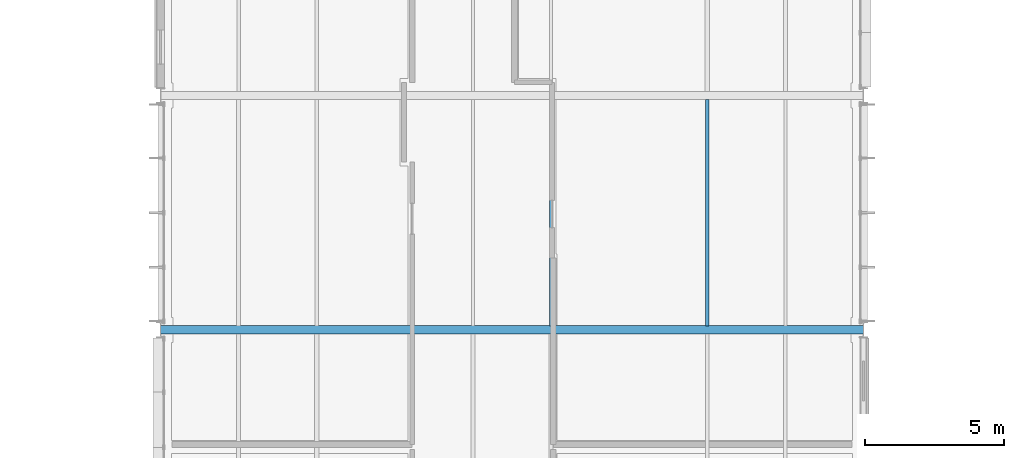
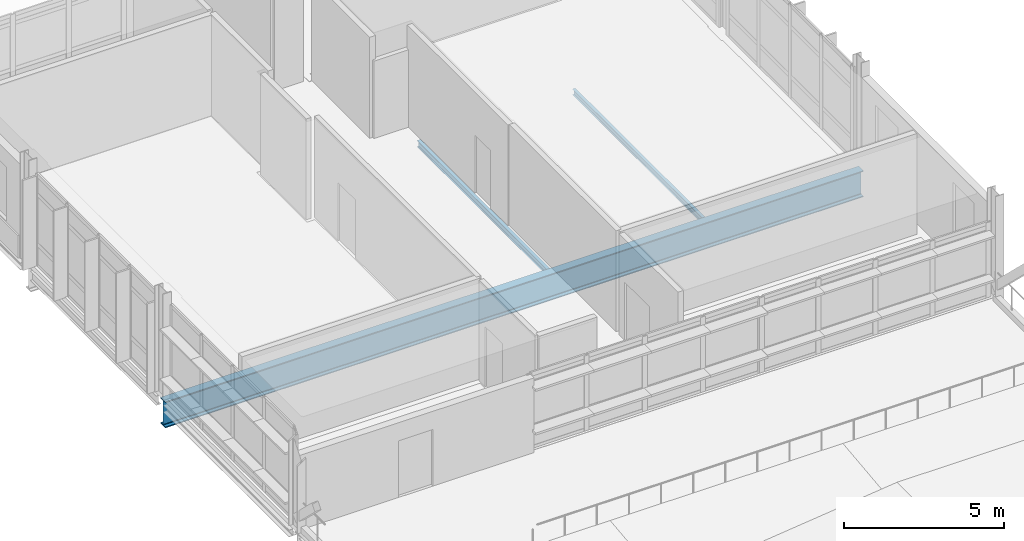
# One storey, part 35 of 103: 3 beams.
"""IFC4 building model written with IfcOpenShell, lengths in metres."""

from ifc_helpers import new_model, si_unit, direction, frame, origin, origin_2d, place, context, subcontext, project, spatial, i_section, extrude, material, material_profile, profile_set, type_object, element, save


model = new_model("IFC4")

# Units and contexts
model_context = context("Model", 3, precision=1e-05, world=origin(), true_north=direction((0.0, 1.0)))
body_context = subcontext(model_context, "Body", "Model", "MODEL_VIEW")
ifc_project = project(units=[si_unit("LENGTHUNIT", "METRE"), si_unit("AREAUNIT", "SQUARE_METRE"), si_unit("VOLUMEUNIT", "CUBIC_METRE"), si_unit("PLANEANGLEUNIT", "RADIAN"), si_unit("MASSUNIT", "GRAM", prefix="KILO")], contexts=[model_context])

# Site, building, storey
site_placement = place(None, origin())
site = spatial("IfcSite", under=ifc_project, at=site_placement, CompositionType="ELEMENT")
building_placement = place(site_placement, origin())
building = spatial("IfcBuilding", under=site, at=building_placement, Name="Mersafa Astral City Hall", CompositionType="ELEMENT")
storey_placement = place(building_placement, frame((0.0, 0.0, 18.0)))
storey = spatial("IfcBuildingStorey", under=building, at=storey_placement, Name="L04", CompositionType="ELEMENT", Elevation=18.0)

# Beams
ifc_material = material(Name="Steel S355", Category="steel")
ifc_material_profile_1 = material_profile(ifc_material, i_section(OverallWidth=0.110107421875, OverallDepth=0.219970703125, WebThickness=0.005859375, FlangeThickness=0.00927734375, FilletRadius=0.011962890625, at=origin_2d()), Name="IPE 220")
ifc_profile_set_1 = profile_set([ifc_material_profile_1], Name="Steel S355")
beam_type_1 = type_object("IfcBeamType", Name="STR-BM-JOIST-IPE220", PredefinedType="JOIST", material=ifc_profile_set_1)
beam_1_placement = place(storey_placement, frame((112.0, 75.7451171875, -0.294921875), z_axis=(0.0, 1.0, 0.0), x_axis=(-1.0, 0.0, 0.0)))
element("IfcBeam", 1, at=beam_1_placement, inside=storey, type_object=beam_type_1, Name="L04 Composite secondary floor joist 734", PredefinedType="JOIST", context=body_context, shape_type="SweptSolid", body=[
    extrude(i_section(OverallWidth=0.110107421875, OverallDepth=0.219970703125, WebThickness=0.005859375, FlangeThickness=0.00927734375, FilletRadius=0.011962890625, at=origin_2d()), origin(), (0.0, 0.0, 1.0), 8.10986328125),
])
ifc_material_profile_2 = material_profile(ifc_material, i_section(OverallWidth=0.1201171875, OverallDepth=0.239990234375, WebThickness=0.006103515625, FlangeThickness=0.009765625, FilletRadius=0.014892578125, at=origin_2d()), Name="IPE 240")
ifc_profile_set_2 = profile_set([ifc_material_profile_2], Name="Steel S355")
beam_type_2 = type_object("IfcBeamType", Name="STR-BM-JOIST-IPE240", PredefinedType="JOIST", material=ifc_profile_set_2)
beam_2_placement = place(storey_placement, frame((106.39990234375, 75.7451171875, -0.304931640625), z_axis=(0.0, 1.0, 0.0), x_axis=(-1.0, 0.0, 0.0)))
element("IfcBeam", 2, at=beam_2_placement, inside=storey, type_object=beam_type_2, Name="L04 Composite secondary floor joist 721", PredefinedType="JOIST", context=body_context, shape_type="SweptSolid", body=[
    extrude(i_section(OverallWidth=0.1201171875, OverallDepth=0.239990234375, WebThickness=0.006103515625, FlangeThickness=0.009765625, FilletRadius=0.014892578125, at=origin_2d()), origin(), (0.0, 0.0, 1.0), 8.10986328125),
])
ifc_material_profile_3 = material_profile(ifc_material, i_section(OverallWidth=0.300048828125, OverallDepth=1.0, WebThickness=0.01904296875, FlangeThickness=0.035888671875, FilletRadius=0.030029296875, at=origin_2d()), Name="HEB 1000")
ifc_profile_set_3 = profile_set([ifc_material_profile_3], Name="Steel S355")
beam_type_3 = type_object("IfcBeamType", Name="STR-BM-PORTAL-HEB1000", PredefinedType="BEAM", material=ifc_profile_set_3)
beam_3_placement = place(storey_placement, frame((92.403076171875, 75.60009765625, -0.68505859375), z_axis=(1.0, 0.0, 0.0), x_axis=(0.0, 1.0, 0.0)))
element("IfcBeam", 3, at=beam_3_placement, inside=storey, type_object=beam_type_3, Name="L04 Public Service Hall clear-span portal girder 9", PredefinedType="BEAM", context=body_context, shape_type="SweptSolid", body=[
    extrude(i_section(OverallWidth=0.300048828125, OverallDepth=1.0, WebThickness=0.01904296875, FlangeThickness=0.035888671875, FilletRadius=0.030029296875, at=origin_2d()), origin(), (0.0, 0.0, 1.0), 25.19384765625),
])

save(model, "model.ifc")
